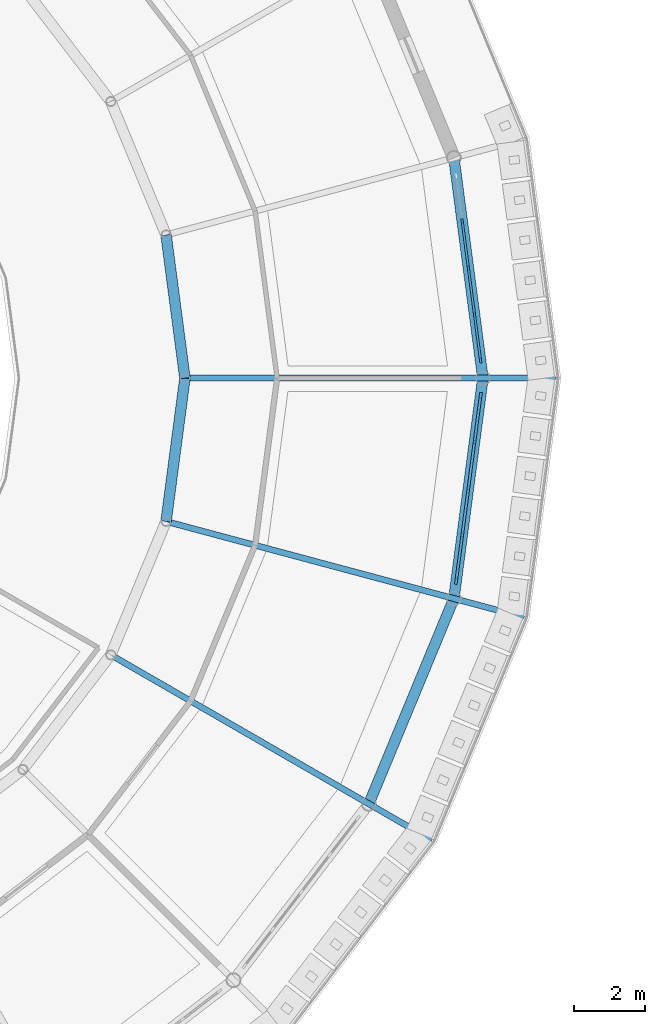
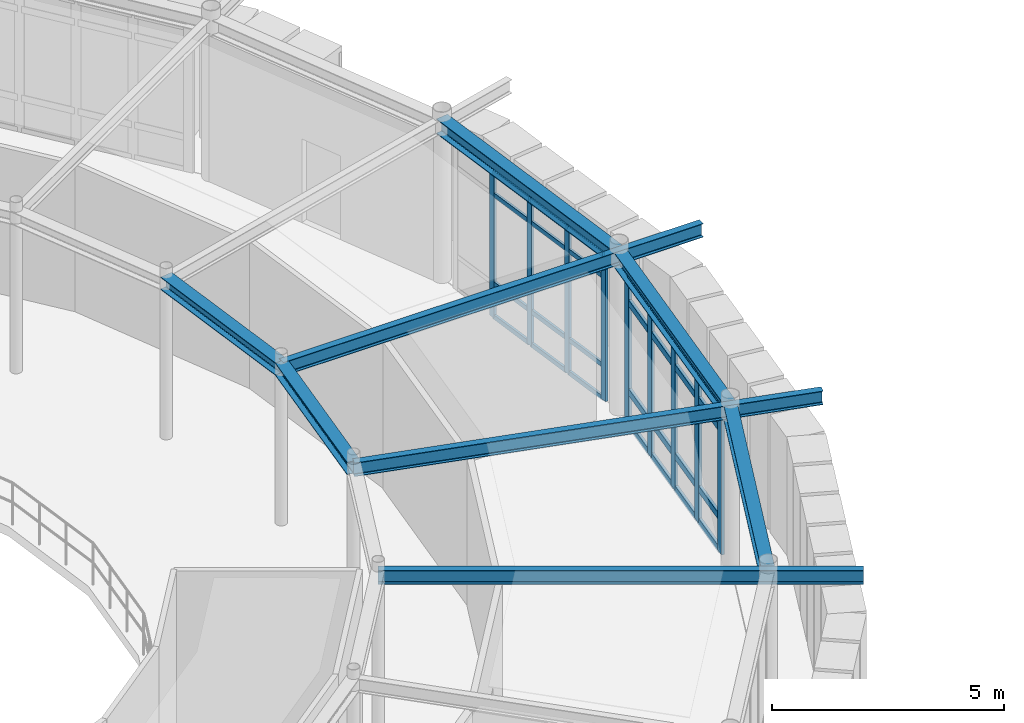
# One storey, part 43 of 106: 37 members, 8 beams, 2 elements without a shape of their own.
"""IFC4 building model written with IfcOpenShell, lengths in metres."""

from ifc_helpers import new_model, si_unit, derived_unit, direction, frame, origin, origin_2d, place, context, subcontext, project, spatial, rectangle, i_section, extrude, material, layer, layer_set, material_profile, profile_set, type_object, element, aggregate, save


model = new_model("IFC4")

# Units and contexts
model_context = context("Model", 3, precision=1e-05, world=origin(), true_north=direction((0.0, 1.0)))
body_context = subcontext(model_context, "Body", "Model", "MODEL_VIEW")
ifc_project = project(units=[si_unit("LENGTHUNIT", "METRE"), si_unit("AREAUNIT", "SQUARE_METRE"), si_unit("VOLUMEUNIT", "CUBIC_METRE"), si_unit("PLANEANGLEUNIT", "RADIAN"), si_unit("MASSUNIT", "GRAM", prefix="KILO"), derived_unit("THERMALTRANSMITTANCEUNIT", [(si_unit("POWERUNIT", "WATT"), 1), (si_unit("AREAUNIT", "SQUARE_METRE"), -1), (si_unit("THERMODYNAMICTEMPERATUREUNIT", "KELVIN"), -1)])], contexts=[model_context])

# Site, building, storey
site_placement = place(None, origin())
site = spatial("IfcSite", under=ifc_project, at=site_placement, CompositionType="ELEMENT")
building_placement = place(site_placement, origin())
building = spatial("IfcBuilding", under=site, at=building_placement, Name="Yasenodar Specialist Clinic", CompositionType="ELEMENT")
storey_placement = place(building_placement, frame((0.0, 0.0, 4.5)))
storey = spatial("IfcBuildingStorey", under=building, at=storey_placement, Name="L01", CompositionType="ELEMENT", Elevation=4.5)

# Beams
ifc_material_1 = material(Name="Steel S355", Category="steel")
ifc_material_profile_1 = material_profile(ifc_material_1, i_section(OverallWidth=0.300048828125, OverallDepth=0.330078125, WebThickness=0.009521484375, FlangeThickness=0.0166015625, FilletRadius=0.027099609375, at=origin_2d()), Name="HEA 340")
ifc_profile_set_1 = profile_set([ifc_material_profile_1], Name="Steel S355")
beam_type_1 = type_object("IfcBeamType", Name="BM-HEA340", PredefinedType="BEAM", material=ifc_profile_set_1)
for number, where, z_axis, x_axis, name in (
    (1, (96.60009765625, 58.800048828125, 4.0849609375), (-0.130569268018, 0.991439189385, 0.0), (-0.991439189385, -0.130569268018, 0.0), "L01 Drum V1 Inner Ring Beam"),
    (2, (96.068359375, 54.762451171875, 4.0849609375), (0.130569268018, 0.991439189385, 0.0), (-0.991439189385, 0.130569268018, 0.0), "L01 Drum V1 Inner Ring Beam"),
):
    element("IfcBeam", number, at=place(storey_placement, frame(where, z_axis=z_axis, x_axis=x_axis)), inside=storey, type_object=beam_type_1, Name=name, PredefinedType="BEAM", context=body_context, shape_type="SweptSolid", body=[
        extrude(i_section(OverallWidth=0.300048828125, OverallDepth=0.330078125, WebThickness=0.009521484375, FlangeThickness=0.0166015625, FilletRadius=0.027099609375, at=origin_2d()), origin(), (0.0, 0.0, 1.0), 4.072509765625),
    ])
ifc_material_profile_2 = material_profile(ifc_material_1, i_section(OverallWidth=0.300048828125, OverallDepth=0.389892578125, WebThickness=0.010986328125, FlangeThickness=0.01904296875, FilletRadius=0.027099609375, at=origin_2d()), Name="HEA 400")
ifc_profile_set_2 = profile_set([ifc_material_profile_2], Name="Steel S355")
beam_type_2 = type_object("IfcBeamType", Name="BM-HEA400", PredefinedType="BEAM", material=ifc_profile_set_2)
beam_1_placement = place(storey_placement, frame((105.0, 58.800048828125, 4.054931640625), z_axis=(-0.130540192224, 0.991443018138, 0.0), x_axis=(-0.991443018138, -0.130540192224, 0.0)))
element("IfcBeam", 3, at=beam_1_placement, inside=storey, type_object=beam_type_2, Name="L01 Drum V1 Perimeter Ring Beam", PredefinedType="BEAM", context=body_context, shape_type="SweptSolid", body=[
    extrude(i_section(OverallWidth=0.300048828125, OverallDepth=0.389892578125, WebThickness=0.010986328125, FlangeThickness=0.01904296875, FilletRadius=0.027099609375, at=origin_2d()), origin(), (0.0, 0.0, 1.0), 6.265380859375),
])
beam_2_placement = place(storey_placement, frame((101.78466796875, 46.800048828125, 4.054931640625), z_axis=(0.382663829839, 0.9238876519, 0.0), x_axis=(-0.9238876519, 0.382663829839, 0.0)))
element("IfcBeam", 4, at=beam_2_placement, inside=storey, type_object=beam_type_2, Name="L01 Drum V1 Perimeter Ring Beam", PredefinedType="BEAM", context=body_context, shape_type="SweptSolid", body=[
    extrude(i_section(OverallWidth=0.300048828125, OverallDepth=0.389892578125, WebThickness=0.010986328125, FlangeThickness=0.01904296875, FilletRadius=0.027099609375, at=origin_2d()), origin(), (0.0, 0.0, 1.0), 6.26513671875),
])
beam_3_placement = place(storey_placement, frame((104.18212890625, 52.58837890625, 4.054931640625), z_axis=(0.130540192224, 0.991443018138, 0.0), x_axis=(-0.991443018138, 0.130540192224, 0.0)))
element("IfcBeam", 5, at=beam_3_placement, inside=storey, type_object=beam_type_2, Name="L01 Drum V1 Perimeter Ring Beam", PredefinedType="BEAM", context=body_context, shape_type="SweptSolid", body=[
    extrude(i_section(OverallWidth=0.300048828125, OverallDepth=0.389892578125, WebThickness=0.010986328125, FlangeThickness=0.01904296875, FilletRadius=0.027099609375, at=origin_2d()), origin(), (0.0, 0.0, 1.0), 6.265380859375),
])
ifc_material_profile_3 = material_profile(ifc_material_1, i_section(OverallWidth=0.169921875, OverallDepth=0.360107421875, WebThickness=0.008056640625, FlangeThickness=0.0126953125, FilletRadius=0.01806640625, at=origin_2d()), Name="IPE 360")
ifc_profile_set_3 = profile_set([ifc_material_profile_3], Name="Steel S355")
beam_type_3 = type_object("IfcBeamType", Name="BM-IPE360", PredefinedType="BEAM", material=ifc_profile_set_3)
beam_4_placement = place(storey_placement, frame((96.60009765625, 58.800048828125, 4.070068359375), z_axis=(1.0, 0.0, 0.0), x_axis=(0.0, 1.0, 0.0)))
element("IfcBeam", 6, at=beam_4_placement, inside=storey, type_object=beam_type_3, Name="L01 Drum V1 Radial Back-Spanned Cantilever Beam", PredefinedType="BEAM", context=body_context, shape_type="SweptSolid", body=[
    extrude(i_section(OverallWidth=0.169921875, OverallDepth=0.360107421875, WebThickness=0.008056640625, FlangeThickness=0.0126953125, FilletRadius=0.01806640625, at=origin_2d()), origin(), (0.0, 0.0, 1.0), 10.449951171875),
])
beam_5_placement = place(storey_placement, frame((94.510009765625, 51.0, 4.070068359375), z_axis=(0.86602335148, -0.500003554679, 0.0), x_axis=(0.500003554679, 0.86602335148, 0.0)))
element("IfcBeam", 7, at=beam_5_placement, inside=storey, type_object=beam_type_3, Name="L01 Drum V1 Radial Back-Spanned Cantilever Beam", PredefinedType="BEAM", context=body_context, shape_type="SweptSolid", body=[
    extrude(i_section(OverallWidth=0.169921875, OverallDepth=0.360107421875, WebThickness=0.008056640625, FlangeThickness=0.0126953125, FilletRadius=0.01806640625, at=origin_2d()), origin(), (0.0, 0.0, 1.0), 10.4501953125),
])
beam_6_placement = place(storey_placement, frame((96.068359375, 54.762451171875, 4.070068359375), z_axis=(0.965927925162, -0.258811211874, 0.0), x_axis=(0.258811211874, 0.965927925162, 0.0)))
element("IfcBeam", 8, at=beam_6_placement, inside=storey, type_object=beam_type_3, Name="L01 Drum V1 Radial Back-Spanned Cantilever Beam", PredefinedType="BEAM", context=body_context, shape_type="SweptSolid", body=[
    extrude(i_section(OverallWidth=0.169921875, OverallDepth=0.360107421875, WebThickness=0.008056640625, FlangeThickness=0.0126953125, FilletRadius=0.01806640625, at=origin_2d()), origin(), (0.0, 0.0, 1.0), 10.449951171875),
])

# Curtain wall, members
ifc_material_2 = material(Name="Bronze Anodized Aluminium and Triple Low-E Glass", Category="aluminium")
ifc_layer = layer(ifc_material_2, 0.1669921875)
ifc_layer_set = layer_set([ifc_layer], Name="Bronze Anodized Aluminium and Triple Low-E Glass")
curtain_wall_type = type_object("IfcCurtainWallType", Name="CW-SYS-01", PredefinedType="USERDEFINED", material=ifc_layer_set)
curtain_wall_1_placement = place(storey_placement, origin())
curtain_wall_1 = element("IfcCurtainWall", 9, at=curtain_wall_1_placement, inside=storey, type_object=curtain_wall_type, Name="L01 Unitised Curtain Wall 014", ObjectType="UNITISED CURTAIN WALL", PredefinedType="USERDEFINED")
ifc_material_3 = material(Name="Bronze Anodized Aluminium", Category="aluminium")
ifc_material_profile_4 = material_profile(ifc_material_3, rectangle(XDim=0.06005859375, YDim=0.159912109375, at=origin_2d()), Name="CW-MULL 60x160")
ifc_profile_set_4 = profile_set([ifc_material_profile_4], Name="Bronze Anodized Aluminium")
member_type_1 = type_object("IfcMemberType", Name="CW-MULL-160", PredefinedType="MULLION", material=ifc_profile_set_4)
member_1_placement = place(storey_placement, frame((104.41796875, 63.220703125, 0.0), z_axis=(0.0, 0.0, 1.0), x_axis=(0.991446787601, 0.13051156024, 0.0)))
member_1 = element("IfcMember", 10, at=member_1_placement, type_object=member_type_1, Name="CW-01 mullion 2", PredefinedType="MULLION", context=body_context, shape_type="SweptSolid", body=[
    extrude(rectangle(XDim=0.06005859375, YDim=0.159912109375, at=origin_2d()), origin(), (0.0, 0.0, 1.0), 3.837890625),
])
member_2_placement = place(storey_placement, frame((104.591064453125, 61.90576171875, 0.0), z_axis=(0.0, 0.0, 1.0), x_axis=(0.991446787601, 0.13051156024, 0.0)))
member_2 = element("IfcMember", 11, at=member_2_placement, type_object=member_type_1, Name="CW-01 mullion 3", PredefinedType="MULLION", context=body_context, shape_type="SweptSolid", body=[
    extrude(rectangle(XDim=0.06005859375, YDim=0.159912109375, at=origin_2d()), origin(), (0.0, 0.0, 1.0), 3.837890625),
])
member_3_placement = place(storey_placement, frame((104.76416015625, 60.5908203125, 0.0), z_axis=(0.0, 0.0, 1.0), x_axis=(0.991446787601, 0.13051156024, 0.0)))
member_3 = element("IfcMember", 12, at=member_3_placement, type_object=member_type_1, Name="CW-01 mullion 4", PredefinedType="MULLION", context=body_context, shape_type="SweptSolid", body=[
    extrude(rectangle(XDim=0.06005859375, YDim=0.159912109375, at=origin_2d()), origin(), (0.0, 0.0, 1.0), 3.837890625),
])
member_4_placement = place(storey_placement, frame((104.933349609375, 59.3056640625, 0.0), z_axis=(0.0, 0.0, 1.0), x_axis=(0.991446787601, 0.13051156024, 0.0)))
member_4 = element("IfcMember", 13, at=member_4_placement, type_object=member_type_1, Name="CW-01 mullion 5", PredefinedType="MULLION", context=body_context, shape_type="SweptSolid", body=[
    extrude(rectangle(XDim=0.06005859375, YDim=0.159912109375, at=origin_2d()), origin(), (0.0, 0.0, 1.0), 3.837890625),
])

curtain_wall_2_placement = place(storey_placement, origin())
curtain_wall_2 = element("IfcCurtainWall", 14, at=curtain_wall_2_placement, inside=storey, type_object=curtain_wall_type, Name="L01 Unitised Curtain Wall 025", ObjectType="UNITISED CURTAIN WALL", PredefinedType="USERDEFINED")
ifc_material_profile_5 = material_profile(ifc_material_3, rectangle(XDim=0.074951171875, YDim=0.22509765625, at=origin_2d()), Name="CW-MULL 75x225")
ifc_profile_set_5 = profile_set([ifc_material_profile_5], Name="Bronze Anodized Aluminium")
member_type_2 = type_object("IfcMemberType", Name="CW-MULL-225", PredefinedType="MULLION", material=ifc_profile_set_5)
member_5_placement = place(storey_placement, frame((104.932373046875, 58.286865234375, 0.0), z_axis=(0.0, 0.0, 1.0), x_axis=(0.991446787601, -0.13051156024, 0.0)))
member_5 = element("IfcMember", 15, at=member_5_placement, type_object=member_type_2, Name="CW-01 mullion 1", PredefinedType="MULLION", context=body_context, shape_type="SweptSolid", body=[
    extrude(rectangle(XDim=0.074951171875, YDim=0.22509765625, at=origin_2d()), origin(), (0.0, 0.0, 1.0), 3.837890625),
])
member_6_placement = place(storey_placement, frame((104.76416015625, 57.009033203125, 0.0), z_axis=(0.0, 0.0, 1.0), x_axis=(0.991446787601, -0.13051156024, 0.0)))
member_6 = element("IfcMember", 16, at=member_6_placement, type_object=member_type_2, Name="CW-01 mullion 2", PredefinedType="MULLION", context=body_context, shape_type="SweptSolid", body=[
    extrude(rectangle(XDim=0.074951171875, YDim=0.22509765625, at=origin_2d()), origin(), (0.0, 0.0, 1.0), 3.837890625),
])
member_7_placement = place(storey_placement, frame((104.591064453125, 55.694091796875, 0.0), z_axis=(0.0, 0.0, 1.0), x_axis=(0.991446787601, -0.13051156024, 0.0)))
member_7 = element("IfcMember", 17, at=member_7_placement, type_object=member_type_2, Name="CW-01 mullion 3", PredefinedType="MULLION", context=body_context, shape_type="SweptSolid", body=[
    extrude(rectangle(XDim=0.074951171875, YDim=0.22509765625, at=origin_2d()), origin(), (0.0, 0.0, 1.0), 3.837890625),
])
member_8_placement = place(storey_placement, frame((104.41796875, 54.379150390625, 0.0), z_axis=(0.0, 0.0, 1.0), x_axis=(0.991446787601, -0.13051156024, 0.0)))
member_8 = element("IfcMember", 18, at=member_8_placement, type_object=member_type_2, Name="CW-01 mullion 4", PredefinedType="MULLION", context=body_context, shape_type="SweptSolid", body=[
    extrude(rectangle(XDim=0.074951171875, YDim=0.22509765625, at=origin_2d()), origin(), (0.0, 0.0, 1.0), 3.837890625),
])
member_9_placement = place(storey_placement, frame((104.249755859375, 53.101318359375, 0.0), z_axis=(0.0, 0.0, 1.0), x_axis=(0.991446787601, -0.13051156024, 0.0)))
member_9 = element("IfcMember", 19, at=member_9_placement, type_object=member_type_2, Name="CW-01 mullion 5", PredefinedType="MULLION", context=body_context, shape_type="SweptSolid", body=[
    extrude(rectangle(XDim=0.074951171875, YDim=0.22509765625, at=origin_2d()), origin(), (0.0, 0.0, 1.0), 3.837890625),
])

# Member
ifc_material_profile_6 = material_profile(ifc_material_3, rectangle(XDim=0.06005859375, YDim=0.1201171875, at=origin_2d()), Name="CW-TRAN 60x120")
ifc_profile_set_6 = profile_set([ifc_material_profile_6], Name="Bronze Anodized Aluminium")
member_type_3 = type_object("IfcMemberType", Name="CW-TRAN-120", PredefinedType="USERDEFINED", material=ifc_profile_set_6)
member_10_placement = place(storey_placement, frame((104.421875, 63.191162109375, 0.030029296875), z_axis=(0.13050936627, -0.991447076407, 0.0), x_axis=(0.991447076407, 0.13050936627, 0.0)))
member_10 = element("IfcMember", 20, at=member_10_placement, type_object=member_type_3, Name="CW-01 transom 2.1", ObjectType="TRANSOM", PredefinedType="USERDEFINED", context=body_context, shape_type="SweptSolid", body=[
    extrude(rectangle(XDim=0.06005859375, YDim=0.1201171875, at=origin_2d()), origin(), (0.0, 0.0, 1.0), 1.266357421875),
])

member_11_placement = place(storey_placement, frame((104.421875, 63.191162109375, 0.89990234375), z_axis=(0.13050936627, -0.991447076407, 0.0), x_axis=(0.991447076407, 0.13050936627, 0.0)))
member_11 = element("IfcMember", 21, at=member_11_placement, type_object=member_type_3, Name="CW-01 transom 2.2", ObjectType="TRANSOM", PredefinedType="USERDEFINED", context=body_context, shape_type="SweptSolid", body=[
    extrude(rectangle(XDim=0.06005859375, YDim=0.1201171875, at=origin_2d()), origin(), (0.0, 0.0, 1.0), 1.266357421875),
])

member_12_placement = place(storey_placement, frame((104.421875, 63.191162109375, 3.238037109375), z_axis=(0.13050936627, -0.991447076407, 0.0), x_axis=(0.991447076407, 0.13050936627, 0.0)))
member_12 = element("IfcMember", 22, at=member_12_placement, type_object=member_type_3, Name="CW-01 transom 2.3", ObjectType="TRANSOM", PredefinedType="USERDEFINED", context=body_context, shape_type="SweptSolid", body=[
    extrude(rectangle(XDim=0.06005859375, YDim=0.1201171875, at=origin_2d()), origin(), (0.0, 0.0, 1.0), 1.266357421875),
])

member_13_placement = place(storey_placement, frame((104.421875, 63.191162109375, 3.80810546875), z_axis=(0.13050936627, -0.991447076407, 0.0), x_axis=(0.991447076407, 0.13050936627, 0.0)))
member_13 = element("IfcMember", 23, at=member_13_placement, type_object=member_type_3, Name="CW-01 transom 2.4", ObjectType="TRANSOM", PredefinedType="USERDEFINED", context=body_context, shape_type="SweptSolid", body=[
    extrude(rectangle(XDim=0.06005859375, YDim=0.1201171875, at=origin_2d()), origin(), (0.0, 0.0, 1.0), 1.266357421875),
])

member_14_placement = place(storey_placement, frame((104.594970703125, 61.876220703125, 0.030029296875), z_axis=(0.13050936627, -0.991447076407, 0.0), x_axis=(0.991447076407, 0.13050936627, 0.0)))
member_14 = element("IfcMember", 24, at=member_14_placement, type_object=member_type_3, Name="CW-01 transom 3.1", ObjectType="TRANSOM", PredefinedType="USERDEFINED", context=body_context, shape_type="SweptSolid", body=[
    extrude(rectangle(XDim=0.06005859375, YDim=0.1201171875, at=origin_2d()), origin(), (0.0, 0.0, 1.0), 1.266357421875),
])

member_15_placement = place(storey_placement, frame((104.594970703125, 61.876220703125, 0.89990234375), z_axis=(0.13050936627, -0.991447076407, 0.0), x_axis=(0.991447076407, 0.13050936627, 0.0)))
member_15 = element("IfcMember", 25, at=member_15_placement, type_object=member_type_3, Name="CW-01 transom 3.2", ObjectType="TRANSOM", PredefinedType="USERDEFINED", context=body_context, shape_type="SweptSolid", body=[
    extrude(rectangle(XDim=0.06005859375, YDim=0.1201171875, at=origin_2d()), origin(), (0.0, 0.0, 1.0), 1.266357421875),
])

member_16_placement = place(storey_placement, frame((104.594970703125, 61.876220703125, 3.238037109375), z_axis=(0.13050936627, -0.991447076407, 0.0), x_axis=(0.991447076407, 0.13050936627, 0.0)))
member_16 = element("IfcMember", 26, at=member_16_placement, type_object=member_type_3, Name="CW-01 transom 3.3", ObjectType="TRANSOM", PredefinedType="USERDEFINED", context=body_context, shape_type="SweptSolid", body=[
    extrude(rectangle(XDim=0.06005859375, YDim=0.1201171875, at=origin_2d()), origin(), (0.0, 0.0, 1.0), 1.266357421875),
])

member_17_placement = place(storey_placement, frame((104.594970703125, 61.876220703125, 3.80810546875), z_axis=(0.13050936627, -0.991447076407, 0.0), x_axis=(0.991447076407, 0.13050936627, 0.0)))
member_17 = element("IfcMember", 27, at=member_17_placement, type_object=member_type_3, Name="CW-01 transom 3.4", ObjectType="TRANSOM", PredefinedType="USERDEFINED", context=body_context, shape_type="SweptSolid", body=[
    extrude(rectangle(XDim=0.06005859375, YDim=0.1201171875, at=origin_2d()), origin(), (0.0, 0.0, 1.0), 1.266357421875),
])

member_18_placement = place(storey_placement, frame((104.76806640625, 60.56103515625, 0.030029296875), z_axis=(0.130546471803, -0.991442191305, 0.0), x_axis=(0.991442191305, 0.130546471803, 0.0)))
member_18 = element("IfcMember", 28, at=member_18_placement, type_object=member_type_3, Name="CW-01 transom 4.1", ObjectType="TRANSOM", PredefinedType="USERDEFINED", context=body_context, shape_type="SweptSolid", body=[
    extrude(rectangle(XDim=0.06005859375, YDim=0.1201171875, at=origin_2d()), origin(), (0.0, 0.0, 1.0), 1.236083984375),
])

member_19_placement = place(storey_placement, frame((104.76806640625, 60.56103515625, 0.89990234375), z_axis=(0.130546471803, -0.991442191305, 0.0), x_axis=(0.991442191305, 0.130546471803, 0.0)))
member_19 = element("IfcMember", 29, at=member_19_placement, type_object=member_type_3, Name="CW-01 transom 4.2", ObjectType="TRANSOM", PredefinedType="USERDEFINED", context=body_context, shape_type="SweptSolid", body=[
    extrude(rectangle(XDim=0.06005859375, YDim=0.1201171875, at=origin_2d()), origin(), (0.0, 0.0, 1.0), 1.236083984375),
])

member_20_placement = place(storey_placement, frame((104.76806640625, 60.56103515625, 3.238037109375), z_axis=(0.130546471803, -0.991442191305, 0.0), x_axis=(0.991442191305, 0.130546471803, 0.0)))
member_20 = element("IfcMember", 30, at=member_20_placement, type_object=member_type_3, Name="CW-01 transom 4.3", ObjectType="TRANSOM", PredefinedType="USERDEFINED", context=body_context, shape_type="SweptSolid", body=[
    extrude(rectangle(XDim=0.06005859375, YDim=0.1201171875, at=origin_2d()), origin(), (0.0, 0.0, 1.0), 1.236083984375),
])

member_21_placement = place(storey_placement, frame((104.76806640625, 60.56103515625, 3.80810546875), z_axis=(0.130546471803, -0.991442191305, 0.0), x_axis=(0.991442191305, 0.130546471803, 0.0)))
member_21 = element("IfcMember", 31, at=member_21_placement, type_object=member_type_3, Name="CW-01 transom 4.4", ObjectType="TRANSOM", PredefinedType="USERDEFINED", context=body_context, shape_type="SweptSolid", body=[
    extrude(rectangle(XDim=0.06005859375, YDim=0.1201171875, at=origin_2d()), origin(), (0.0, 0.0, 1.0), 1.236083984375),
])

aggregate(curtain_wall_1, [member_1, member_2, member_3, member_4, member_10, member_11, member_12, member_13, member_14, member_15, member_16, member_17, member_18, member_19, member_20, member_21])

ifc_material_profile_7 = material_profile(ifc_material_3, rectangle(XDim=0.074951171875, YDim=0.175048828125, at=origin_2d()), Name="CW-TRAN 75x175")
ifc_profile_set_7 = profile_set([ifc_material_profile_7], Name="Bronze Anodized Aluminium")
member_type_4 = type_object("IfcMemberType", Name="CW-TRAN-175", PredefinedType="USERDEFINED", material=ifc_profile_set_7)
member_22_placement = place(storey_placement, frame((104.927490234375, 58.249755859375, 0.03759765625), z_axis=(-0.130542966465, -0.991442652858, 0.0), x_axis=(0.991442652858, -0.130542966465, 0.0)))
member_22 = element("IfcMember", 32, at=member_22_placement, type_object=member_type_4, Name="CW-01 transom 1.1", ObjectType="TRANSOM", PredefinedType="USERDEFINED", context=body_context, shape_type="SweptSolid", body=[
    extrude(rectangle(XDim=0.074951171875, YDim=0.175048828125, at=origin_2d()), origin(), (0.0, 0.0, 1.0), 1.2138671875),
])

member_23_placement = place(storey_placement, frame((104.927490234375, 58.249755859375, 0.89990234375), z_axis=(-0.130542966465, -0.991442652858, 0.0), x_axis=(0.991442652858, -0.130542966465, 0.0)))
member_23 = element("IfcMember", 33, at=member_23_placement, type_object=member_type_4, Name="CW-01 transom 1.2", ObjectType="TRANSOM", PredefinedType="USERDEFINED", context=body_context, shape_type="SweptSolid", body=[
    extrude(rectangle(XDim=0.074951171875, YDim=0.175048828125, at=origin_2d()), origin(), (0.0, 0.0, 1.0), 1.2138671875),
])

member_24_placement = place(storey_placement, frame((104.927490234375, 58.249755859375, 3.238037109375), z_axis=(-0.130542966465, -0.991442652858, 0.0), x_axis=(0.991442652858, -0.130542966465, 0.0)))
member_24 = element("IfcMember", 34, at=member_24_placement, type_object=member_type_4, Name="CW-01 transom 1.3", ObjectType="TRANSOM", PredefinedType="USERDEFINED", context=body_context, shape_type="SweptSolid", body=[
    extrude(rectangle(XDim=0.074951171875, YDim=0.175048828125, at=origin_2d()), origin(), (0.0, 0.0, 1.0), 1.2138671875),
])

member_25_placement = place(storey_placement, frame((104.927490234375, 58.249755859375, 3.800537109375), z_axis=(-0.130542966465, -0.991442652858, 0.0), x_axis=(0.991442652858, -0.130542966465, 0.0)))
member_25 = element("IfcMember", 35, at=member_25_placement, type_object=member_type_4, Name="CW-01 transom 1.4", ObjectType="TRANSOM", PredefinedType="USERDEFINED", context=body_context, shape_type="SweptSolid", body=[
    extrude(rectangle(XDim=0.074951171875, YDim=0.175048828125, at=origin_2d()), origin(), (0.0, 0.0, 1.0), 1.2138671875),
])

member_26_placement = place(storey_placement, frame((104.75927734375, 56.971923828125, 0.03759765625), z_axis=(-0.130540320379, -0.991443001264, 0.0), x_axis=(0.991443001264, -0.130540320379, 0.0)))
member_26 = element("IfcMember", 36, at=member_26_placement, type_object=member_type_4, Name="CW-01 transom 2.1", ObjectType="TRANSOM", PredefinedType="USERDEFINED", context=body_context, shape_type="SweptSolid", body=[
    extrude(rectangle(XDim=0.074951171875, YDim=0.175048828125, at=origin_2d()), origin(), (0.0, 0.0, 1.0), 1.251220703125),
])

member_27_placement = place(storey_placement, frame((104.75927734375, 56.971923828125, 0.89990234375), z_axis=(-0.130540320379, -0.991443001264, 0.0), x_axis=(0.991443001264, -0.130540320379, 0.0)))
member_27 = element("IfcMember", 37, at=member_27_placement, type_object=member_type_4, Name="CW-01 transom 2.2", ObjectType="TRANSOM", PredefinedType="USERDEFINED", context=body_context, shape_type="SweptSolid", body=[
    extrude(rectangle(XDim=0.074951171875, YDim=0.175048828125, at=origin_2d()), origin(), (0.0, 0.0, 1.0), 1.251220703125),
])

member_28_placement = place(storey_placement, frame((104.75927734375, 56.971923828125, 3.238037109375), z_axis=(-0.130540320379, -0.991443001264, 0.0), x_axis=(0.991443001264, -0.130540320379, 0.0)))
member_28 = element("IfcMember", 38, at=member_28_placement, type_object=member_type_4, Name="CW-01 transom 2.3", ObjectType="TRANSOM", PredefinedType="USERDEFINED", context=body_context, shape_type="SweptSolid", body=[
    extrude(rectangle(XDim=0.074951171875, YDim=0.175048828125, at=origin_2d()), origin(), (0.0, 0.0, 1.0), 1.251220703125),
])

member_29_placement = place(storey_placement, frame((104.75927734375, 56.971923828125, 3.800537109375), z_axis=(-0.130540320379, -0.991443001264, 0.0), x_axis=(0.991443001264, -0.130540320379, 0.0)))
member_29 = element("IfcMember", 39, at=member_29_placement, type_object=member_type_4, Name="CW-01 transom 2.4", ObjectType="TRANSOM", PredefinedType="USERDEFINED", context=body_context, shape_type="SweptSolid", body=[
    extrude(rectangle(XDim=0.074951171875, YDim=0.175048828125, at=origin_2d()), origin(), (0.0, 0.0, 1.0), 1.251220703125),
])

member_30_placement = place(storey_placement, frame((104.586181640625, 55.656982421875, 0.03759765625), z_axis=(-0.130515071174, -0.991446325424, 0.0), x_axis=(0.991446325424, -0.130515071174, 0.0)))
member_30 = element("IfcMember", 40, at=member_30_placement, type_object=member_type_4, Name="CW-01 transom 3.1", ObjectType="TRANSOM", PredefinedType="USERDEFINED", context=body_context, shape_type="SweptSolid", body=[
    extrude(rectangle(XDim=0.074951171875, YDim=0.175048828125, at=origin_2d()), origin(), (0.0, 0.0, 1.0), 1.25146484375),
])

member_31_placement = place(storey_placement, frame((104.586181640625, 55.656982421875, 0.89990234375), z_axis=(-0.130515071174, -0.991446325424, 0.0), x_axis=(0.991446325424, -0.130515071174, 0.0)))
member_31 = element("IfcMember", 41, at=member_31_placement, type_object=member_type_4, Name="CW-01 transom 3.2", ObjectType="TRANSOM", PredefinedType="USERDEFINED", context=body_context, shape_type="SweptSolid", body=[
    extrude(rectangle(XDim=0.074951171875, YDim=0.175048828125, at=origin_2d()), origin(), (0.0, 0.0, 1.0), 1.25146484375),
])

member_32_placement = place(storey_placement, frame((104.586181640625, 55.656982421875, 3.238037109375), z_axis=(-0.130515071174, -0.991446325424, 0.0), x_axis=(0.991446325424, -0.130515071174, 0.0)))
member_32 = element("IfcMember", 42, at=member_32_placement, type_object=member_type_4, Name="CW-01 transom 3.3", ObjectType="TRANSOM", PredefinedType="USERDEFINED", context=body_context, shape_type="SweptSolid", body=[
    extrude(rectangle(XDim=0.074951171875, YDim=0.175048828125, at=origin_2d()), origin(), (0.0, 0.0, 1.0), 1.25146484375),
])

member_33_placement = place(storey_placement, frame((104.586181640625, 55.656982421875, 3.800537109375), z_axis=(-0.130515071174, -0.991446325424, 0.0), x_axis=(0.991446325424, -0.130515071174, 0.0)))
member_33 = element("IfcMember", 43, at=member_33_placement, type_object=member_type_4, Name="CW-01 transom 3.4", ObjectType="TRANSOM", PredefinedType="USERDEFINED", context=body_context, shape_type="SweptSolid", body=[
    extrude(rectangle(XDim=0.074951171875, YDim=0.175048828125, at=origin_2d()), origin(), (0.0, 0.0, 1.0), 1.25146484375),
])

member_34_placement = place(storey_placement, frame((104.4130859375, 54.342041015625, 0.03759765625), z_axis=(-0.130542966465, -0.991442652858, 0.0), x_axis=(0.991442652858, -0.130542966465, 0.0)))
member_34 = element("IfcMember", 44, at=member_34_placement, type_object=member_type_4, Name="CW-01 transom 4.1", ObjectType="TRANSOM", PredefinedType="USERDEFINED", context=body_context, shape_type="SweptSolid", body=[
    extrude(rectangle(XDim=0.074951171875, YDim=0.175048828125, at=origin_2d()), origin(), (0.0, 0.0, 1.0), 1.2138671875),
])

member_35_placement = place(storey_placement, frame((104.4130859375, 54.342041015625, 0.89990234375), z_axis=(-0.130542966465, -0.991442652858, 0.0), x_axis=(0.991442652858, -0.130542966465, 0.0)))
member_35 = element("IfcMember", 45, at=member_35_placement, type_object=member_type_4, Name="CW-01 transom 4.2", ObjectType="TRANSOM", PredefinedType="USERDEFINED", context=body_context, shape_type="SweptSolid", body=[
    extrude(rectangle(XDim=0.074951171875, YDim=0.175048828125, at=origin_2d()), origin(), (0.0, 0.0, 1.0), 1.2138671875),
])

member_36_placement = place(storey_placement, frame((104.4130859375, 54.342041015625, 3.238037109375), z_axis=(-0.130542966465, -0.991442652858, 0.0), x_axis=(0.991442652858, -0.130542966465, 0.0)))
member_36 = element("IfcMember", 46, at=member_36_placement, type_object=member_type_4, Name="CW-01 transom 4.3", ObjectType="TRANSOM", PredefinedType="USERDEFINED", context=body_context, shape_type="SweptSolid", body=[
    extrude(rectangle(XDim=0.074951171875, YDim=0.175048828125, at=origin_2d()), origin(), (0.0, 0.0, 1.0), 1.2138671875),
])

member_37_placement = place(storey_placement, frame((104.4130859375, 54.342041015625, 3.800537109375), z_axis=(-0.130542966465, -0.991442652858, 0.0), x_axis=(0.991442652858, -0.130542966465, 0.0)))
member_37 = element("IfcMember", 47, at=member_37_placement, type_object=member_type_4, Name="CW-01 transom 4.4", ObjectType="TRANSOM", PredefinedType="USERDEFINED", context=body_context, shape_type="SweptSolid", body=[
    extrude(rectangle(XDim=0.074951171875, YDim=0.175048828125, at=origin_2d()), origin(), (0.0, 0.0, 1.0), 1.2138671875),
])

aggregate(curtain_wall_2, [member_5, member_6, member_7, member_8, member_9, member_22, member_23, member_24, member_25, member_26, member_27, member_28, member_29, member_30, member_31, member_32, member_33, member_34, member_35, member_36, member_37])

save(model, "model.ifc")
